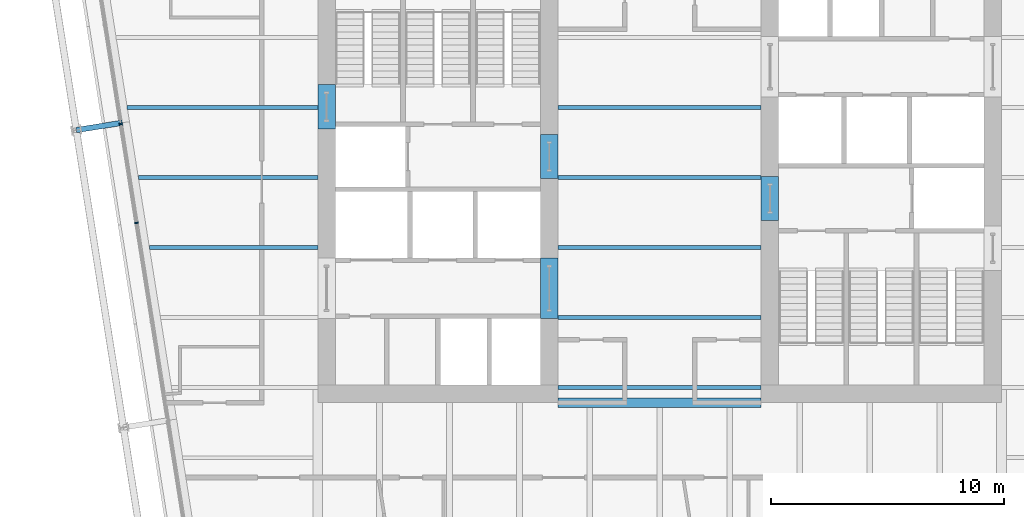
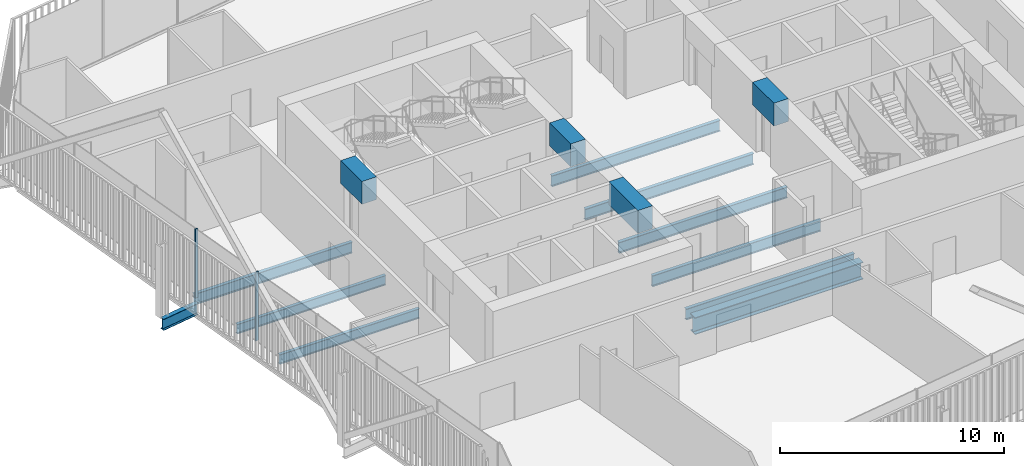
# One storey, part 6 of 22: 14 beams, 2 members, 1 element without a shape of its own.
"""IFC4 building model written with IfcOpenShell, lengths in metres."""

from ifc_helpers import new_model, si_unit, direction, frame, origin, origin_2d, place, context, subcontext, project, spatial, rectangle, i_section, extrude, material, layer, layer_set, material_profile, profile_set, type_object, element, aggregate, save


model = new_model("IFC4")

# Units and contexts
model_context = context("Model", 3, precision=1e-05, world=origin(), true_north=direction((0.0, 1.0)))
body_context = subcontext(model_context, "Body", "Model", "MODEL_VIEW")
ifc_project = project(units=[si_unit("LENGTHUNIT", "METRE"), si_unit("AREAUNIT", "SQUARE_METRE"), si_unit("VOLUMEUNIT", "CUBIC_METRE"), si_unit("PLANEANGLEUNIT", "RADIAN"), si_unit("MASSUNIT", "GRAM", prefix="KILO")], contexts=[model_context])

# Site, building, storey
site_placement = place(None, origin())
site = spatial("IfcSite", under=ifc_project, at=site_placement, CompositionType="ELEMENT")
building_placement = place(site_placement, origin())
building = spatial("IfcBuilding", under=site, at=building_placement, Name="Millrace Tower", CompositionType="ELEMENT")
storey_placement = place(building_placement, frame((0.0, 0.0, 168.5)))
storey = spatial("IfcBuildingStorey", under=building, at=storey_placement, Name="L38", CompositionType="ELEMENT", Elevation=168.5)

# Curtain wall, members
ifc_material_1 = material(Name="Aluminium and glass", Category="aluminium")
ifc_layer = layer(ifc_material_1, 0.14990234375)
ifc_layer_set = layer_set([ifc_layer], Name="Aluminium and glass")
curtain_wall_type = type_object("IfcCurtainWallType", Name="CW-1 office vision curtain wall", PredefinedType="NOTDEFINED", material=ifc_layer_set)
curtain_wall_placement = place(storey_placement, origin())
curtain_wall = element("IfcCurtainWall", 1, at=curtain_wall_placement, inside=storey, type_object=curtain_wall_type, Name="Curtain wall C-F08 L38", PredefinedType="NOTDEFINED")
ifc_material_2 = material(Name="Aluminium", Category="aluminium")
ifc_material_profile_1 = material_profile(ifc_material_2, rectangle(XDim=0.06494140625, YDim=0.14990234375, at=origin_2d()))
ifc_profile_set_1 = profile_set([ifc_material_profile_1], Name="Aluminium")
member_type = type_object("IfcMemberType", Name="CW-1 office vision curtain wall mullion", PredefinedType="MULLION", material=ifc_profile_set_1)
member_1_placement = place(storey_placement, frame((-23.088623046875, 2.300537109375, 0.139892578125), z_axis=(0.0, 0.0, 1.0), x_axis=(0.15643447328, -0.98768833929, 0.0)))
member_1 = element("IfcMember", 2, at=member_1_placement, type_object=member_type, Name="CW1 mullion C-F08.4", PredefinedType="MULLION", context=body_context, shape_type="SweptSolid", body=[
    extrude(rectangle(XDim=0.06494140625, YDim=0.14990234375, at=origin_2d()), origin(), (0.0, 0.0, 1.0), 3.760009765625),
])
member_2_placement = place(storey_placement, frame((-22.416015625, -1.946533203125, 0.139892578125), z_axis=(0.0, 0.0, 1.0), x_axis=(0.15643447328, -0.98768833929, 0.0)))
member_2 = element("IfcMember", 3, at=member_2_placement, type_object=member_type, Name="CW1 mullion C-F08.5", PredefinedType="MULLION", context=body_context, shape_type="SweptSolid", body=[
    extrude(rectangle(XDim=0.06494140625, YDim=0.14990234375, at=origin_2d()), origin(), (0.0, 0.0, 1.0), 3.760009765625),
])
aggregate(curtain_wall, [member_1, member_2])

# Beams
ifc_material_3 = material(Name="Concrete C70", Category="concrete")
ifc_material_profile_2 = material_profile(ifc_material_3, rectangle(XDim=0.75, YDim=1.25, at=origin_2d()))
ifc_profile_set_2 = profile_set([ifc_material_profile_2], Name="Concrete C70")
beam_type_1 = type_object("IfcBeamType", Name="Coupling beam 750 x 1250 Concrete C70, 1300 opening", PredefinedType="BEAM", material=ifc_profile_set_2)
beam_1_placement = place(storey_placement, frame((-14.27490234375, 2.080078125, 3.02490234375), z_axis=(0.0, 1.0, 0.0), x_axis=(-1.0, 0.0, 0.0)))
element("IfcBeam", 4, at=beam_1_placement, inside=storey, type_object=beam_type_1, Name="Coupling beam W L38", PredefinedType="BEAM", context=body_context, shape_type="SweptSolid", body=[
    extrude(rectangle(XDim=0.75, YDim=1.25, at=origin_2d()), origin(), (0.0, 0.0, 1.0), 1.89990234375),
])
for number, where, z_axis, x_axis, name in (
    (5, (-4.72509765625, -0.050048828125, 3.02490234375), (0.0, 1.0, 0.0), (-1.0, 0.0, 0.0), "Coupling beam W L38"),
    (6, (4.72509765625, 0.050048828125, 3.02490234375), (0.0, -1.0, 0.0), (1.0, 0.0, 0.0), "Coupling beam E L38"),
):
    element("IfcBeam", number, at=place(storey_placement, frame(where, z_axis=z_axis, x_axis=x_axis)), inside=storey, type_object=beam_type_1, Name=name, PredefinedType="BEAM", context=body_context, shape_type="SweptSolid", body=[
        extrude(rectangle(XDim=0.75, YDim=1.25, at=origin_2d()), origin(), (0.0, 0.0, 1.0), 1.900146484375),
    ])
ifc_material_4 = material(Name="Concrete C70", Category="concrete")
ifc_material_profile_3 = material_profile(ifc_material_4, rectangle(XDim=0.75, YDim=1.25, at=origin_2d()))
ifc_profile_set_3 = profile_set([ifc_material_profile_3], Name="Concrete C70")
beam_type_2 = type_object("IfcBeamType", Name="Coupling beam 750 x 1250 Concrete C70, 2000 opening", PredefinedType="BEAM", material=ifc_profile_set_3)
beam_2_placement = place(storey_placement, frame((-4.72509765625, -6.050048828125, 3.02490234375), z_axis=(0.0, 1.0, 0.0), x_axis=(-1.0, 0.0, 0.0)))
element("IfcBeam", 7, at=beam_2_placement, inside=storey, type_object=beam_type_2, Name="Coupling beam W L38", PredefinedType="BEAM", context=body_context, shape_type="SweptSolid", body=[
    extrude(rectangle(XDim=0.75, YDim=1.25, at=origin_2d()), origin(), (0.0, 0.0, 1.0), 2.60009765625),
])
ifc_material_5 = material(Name="Steel ASTM A992 Grade 50", Category="steel")
ifc_material_profile_4 = material_profile(ifc_material_5, i_section(OverallWidth=0.1650390625, OverallDepth=0.52587890625, WebThickness=0.0087890625, FlangeThickness=0.011474609375, FilletRadius=0.0126953125, at=origin_2d()))
ifc_profile_set_4 = profile_set([ifc_material_profile_4], Name="Steel ASTM A992 Grade 50")
beam_type_3 = type_object("IfcBeamType", Name="Floor beam W21x44", PredefinedType="JOIST", material=ifc_profile_set_4)
beam_3_placement = place(storey_placement, frame((-21.862060546875, -3.0, -0.4228515625), z_axis=(1.0, 0.0, 0.0), x_axis=(0.0, 1.0, 0.0)))
element("IfcBeam", 8, at=beam_3_placement, inside=storey, type_object=beam_type_3, Name="BM-C-L38-S1-S017", PredefinedType="JOIST", context=body_context, shape_type="SweptSolid", body=[
    extrude(i_section(OverallWidth=0.1650390625, OverallDepth=0.52587890625, WebThickness=0.0087890625, FlangeThickness=0.011474609375, FilletRadius=0.0126953125, at=origin_2d()), origin(), (0.0, 0.0, 1.0), 7.212158203125),
])
beam_4_placement = place(storey_placement, frame((-22.337158203125, 0.0, -0.4228515625), z_axis=(1.0, 0.0, 0.0), x_axis=(0.0, 1.0, 0.0)))
element("IfcBeam", 9, at=beam_4_placement, inside=storey, type_object=beam_type_3, Name="BM-C-L38-S1-S020", PredefinedType="JOIST", context=body_context, shape_type="SweptSolid", body=[
    extrude(i_section(OverallWidth=0.1650390625, OverallDepth=0.52587890625, WebThickness=0.0087890625, FlangeThickness=0.011474609375, FilletRadius=0.0126953125, at=origin_2d()), origin(), (0.0, 0.0, 1.0), 7.687255859375),
])
ifc_material_6 = material(Name="Steel ASTM A992 Grade 50", Category="steel")
ifc_material_profile_5 = material_profile(ifc_material_6, i_section(OverallWidth=0.177978515625, OverallDepth=0.599365234375, WebThickness=0.010009765625, FlangeThickness=0.012939453125, FilletRadius=0.012939453125, at=origin_2d()))
ifc_profile_set_5 = profile_set([ifc_material_profile_5], Name="Steel ASTM A992 Grade 50")
beam_type_4 = type_object("IfcBeamType", Name="Floor beam W24x55", PredefinedType="JOIST", material=ifc_profile_set_5)
for number, where, z_axis, x_axis, name in (
    (10, (-4.35009765625, -9.0, -0.459716796875), (1.0, 0.0, 0.0), (0.0, 1.0, 0.0), "BM-C-L38-S1-S010"),
    (11, (-4.35009765625, -6.0, -0.459716796875), (1.0, 0.0, 0.0), (0.0, 1.0, 0.0), "BM-C-L38-S1-S013"),
    (12, (-4.35009765625, -3.0, -0.459716796875), (1.0, 0.0, 0.0), (0.0, 1.0, 0.0), "BM-C-L38-S1-S016"),
    (13, (-4.35009765625, 0.0, -0.459716796875), (1.0, 0.0, 0.0), (0.0, 1.0, 0.0), "BM-C-L38-S1-S019"),
    (14, (-4.35009765625, 3.0, -0.459716796875), (1.0, 0.0, 0.0), (0.0, 1.0, 0.0), "BM-C-L38-S1-S022"),
):
    element("IfcBeam", number, at=place(storey_placement, frame(where, z_axis=z_axis, x_axis=x_axis)), inside=storey, type_object=beam_type_4, Name=name, PredefinedType="JOIST", context=body_context, shape_type="SweptSolid", body=[
        extrude(i_section(OverallWidth=0.177978515625, OverallDepth=0.599365234375, WebThickness=0.010009765625, FlangeThickness=0.012939453125, FilletRadius=0.012939453125, at=origin_2d()), origin(), (0.0, 0.0, 1.0), 8.7001953125),
    ])
beam_5_placement = place(storey_placement, frame((-22.812255859375, 3.0, -0.459716796875), z_axis=(1.0, 0.0, 0.0), x_axis=(0.0, 1.0, 0.0)))
element("IfcBeam", 15, at=beam_5_placement, inside=storey, type_object=beam_type_4, Name="BM-C-L38-S1-S023", PredefinedType="JOIST", context=body_context, shape_type="SweptSolid", body=[
    extrude(i_section(OverallWidth=0.177978515625, OverallDepth=0.599365234375, WebThickness=0.010009765625, FlangeThickness=0.012939453125, FilletRadius=0.012939453125, at=origin_2d()), origin(), (0.0, 0.0, 1.0), 8.162353515625),
])
ifc_material_7 = material(Name="Steel ASTM A992 Grade 50", Category="steel")
ifc_material_profile_6 = material_profile(ifc_material_7, i_section(OverallWidth=0.419189453125, OverallDepth=0.927001953125, WebThickness=0.019287109375, FlangeThickness=0.031982421875, FilletRadius=0.024169921875, at=origin_2d()))
ifc_profile_set_6 = profile_set([ifc_material_profile_6], Name="Steel ASTM A992 Grade 50")
beam_type_5 = type_object("IfcBeamType", Name="Girder short span W36x231", PredefinedType="BEAM", material=ifc_profile_set_6)
beam_6_placement = place(storey_placement, frame((-4.35009765625, -9.64990234375, -0.62353515625), z_axis=(1.0, 0.0, 0.0), x_axis=(0.0, 1.0, 0.0)))
element("IfcBeam", 16, at=beam_6_placement, inside=storey, type_object=beam_type_5, Name="BM-C-L38-S1-G062", PredefinedType="BEAM", context=body_context, shape_type="SweptSolid", body=[
    extrude(i_section(OverallWidth=0.419189453125, OverallDepth=0.927001953125, WebThickness=0.019287109375, FlangeThickness=0.031982421875, FilletRadius=0.024169921875, at=origin_2d()), origin(), (0.0, 0.0, 1.0), 8.7001953125),
])
ifc_material_8 = material(Name="Steel ASTM A992 Grade 50", Category="steel")
ifc_material_profile_7 = material_profile(ifc_material_8, i_section(OverallWidth=0.23046875, OverallDepth=0.6171875, WebThickness=0.01318359375, FlangeThickness=0.022216796875, FilletRadius=0.012939453125, at=origin_2d()))
ifc_profile_set_7 = profile_set([ifc_material_profile_7], Name="Steel ASTM A992 Grade 50")
beam_type_6 = type_object("IfcBeamType", Name="Link beam W24x94", PredefinedType="BEAM", material=ifc_profile_set_7)
beam_7_placement = place(storey_placement, frame((-23.019775390625, 2.344482421875, -0.468505859375), z_axis=(-0.987678691416, -0.156495375404, 0.0), x_axis=(0.156495375404, -0.987678691416, 0.0)))
element("IfcBeam", 17, at=beam_7_placement, inside=storey, type_object=beam_type_6, Name="LNK-C-L38-S1-03", PredefinedType="BEAM", context=body_context, shape_type="SweptSolid", body=[
    extrude(i_section(OverallWidth=0.23046875, OverallDepth=0.6171875, WebThickness=0.01318359375, FlangeThickness=0.022216796875, FilletRadius=0.012939453125, at=origin_2d()), origin(), (0.0, 0.0, 1.0), 2.0),
])

save(model, "model.ifc")
